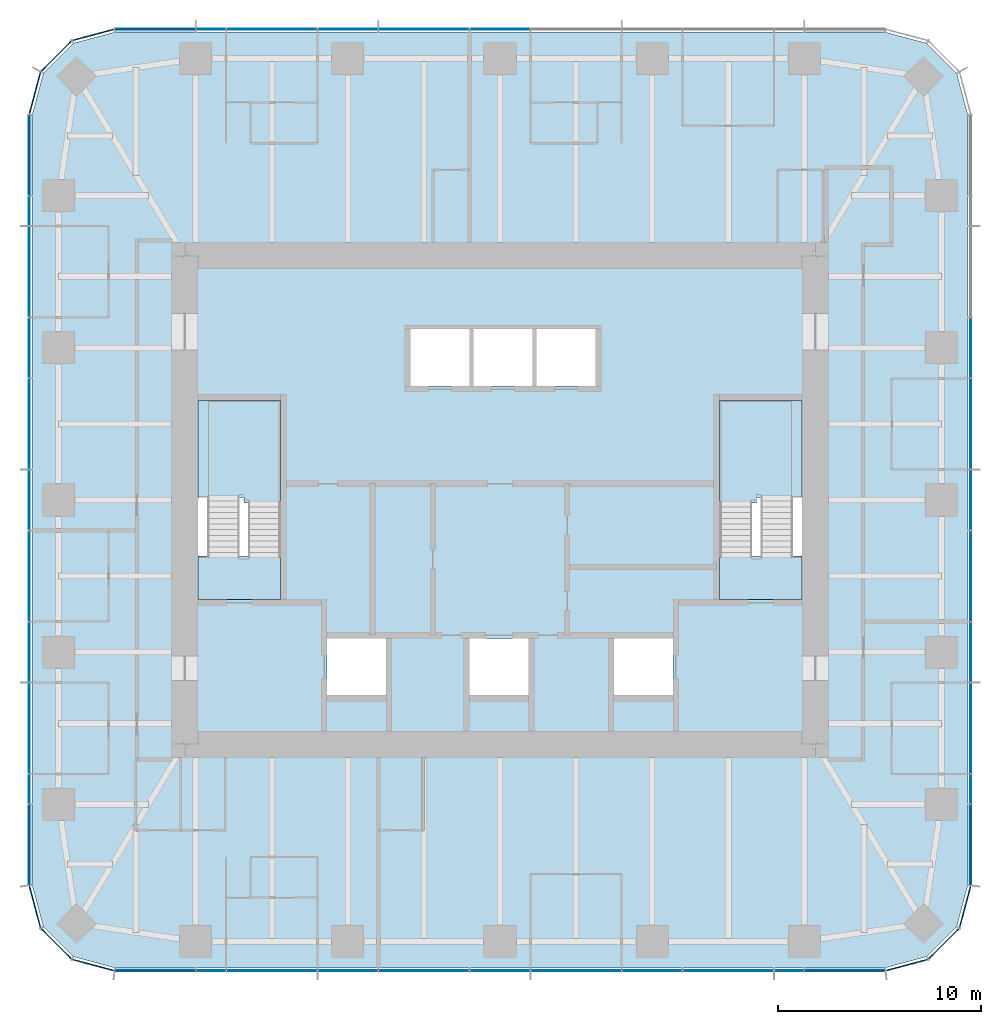
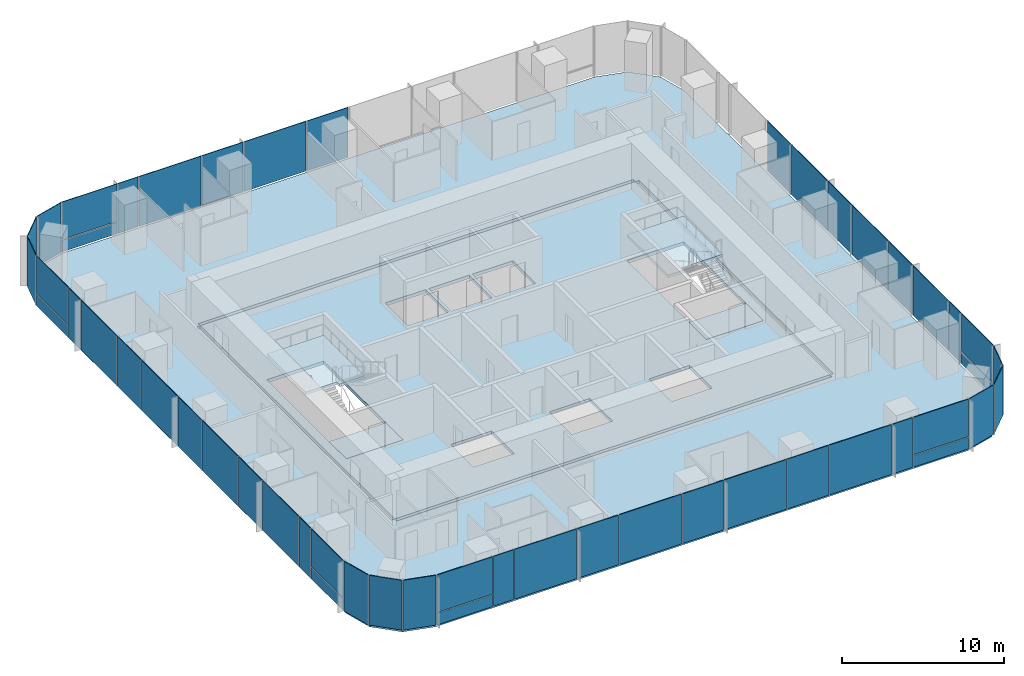
# One storey, part 7 of 12: 51 plates, 6 slabs, 9 elements without a shape of their own.
"""IFC4 building model written with IfcOpenShell, lengths in metres."""

from ifc_helpers import new_model, si_unit, direction, frame, origin, origin_2d, place, context, subcontext, project, spatial, polyline, rectangle, outline, extrude, material, layer, layer_set, type_object, element, aggregate, save


model = new_model("IFC4")

# Units and contexts
model_context = context("Model", 3, precision=1e-05, world=origin(), true_north=direction((0.0, 1.0)))
body_context = subcontext(model_context, "Body", "Model", "MODEL_VIEW")
ifc_project = project(units=[si_unit("LENGTHUNIT", "METRE"), si_unit("AREAUNIT", "SQUARE_METRE"), si_unit("VOLUMEUNIT", "CUBIC_METRE"), si_unit("PLANEANGLEUNIT", "RADIAN"), si_unit("MASSUNIT", "GRAM", prefix="KILO")], contexts=[model_context])

# Site, building, storey
site_placement = place(None, origin())
site = spatial("IfcSite", under=ifc_project, at=site_placement, CompositionType="ELEMENT")
building_placement = place(site_placement, origin())
building = spatial("IfcBuilding", under=site, at=building_placement, Name="Khuree Lantern Residences", CompositionType="ELEMENT")
storey_placement = place(building_placement, frame((0.0, 0.0, 334.5)))
storey = spatial("IfcBuildingStorey", under=building, at=storey_placement, Name="L84", CompositionType="ELEMENT", Elevation=334.5)

# Slab
ifc_material_1 = material(Name="Concrete C35/45", Category="concrete")
ifc_layer_1 = layer(ifc_material_1, 0.25)
ifc_layer_set_1 = layer_set([ifc_layer_1], Name="CFL250 CORE FLOOR SLAB 250")
slab_type_1 = type_object("IfcSlabType", Name="CFL250 CORE FLOOR SLAB 250", PredefinedType="FLOOR", material=ifc_layer_set_1)
slab_1_placement = place(storey_placement, frame((0.0, 0.0, -0.25)))
element("IfcSlab", 1, at=slab_1_placement, inside=storey, type_object=slab_type_1, Name="Core floor L84", PredefinedType="FLOOR", context=body_context, shape_type="SweptSolid", body=[
    extrude(outline(polyline([(-15.5, -12.0), (-15.5, 12.0), (15.5, 12.0), (15.5, -12.0), (-15.5, -12.0)]), holes=[polyline([(10.800048828125, 4.89990234375), (10.800048828125, -4.89990234375), (14.85009765625, -4.89990234375), (14.85009765625, 4.89990234375), (10.800048828125, 4.89990234375)]), polyline([(5.60009765625, -6.800048828125), (5.60009765625, -9.60009765625), (8.5, -9.60009765625), (8.5, -6.800048828125), (5.60009765625, -6.800048828125)]), polyline([(1.800048828125, 8.39990234375), (1.800048828125, 5.60009765625), (4.699951171875, 5.60009765625), (4.699951171875, 8.39990234375), (1.800048828125, 8.39990234375)]), polyline([(-1.300048828125, 8.39990234375), (-1.300048828125, 5.60009765625), (1.60009765625, 5.60009765625), (1.60009765625, 8.39990234375), (-1.300048828125, 8.39990234375)]), polyline([(-1.5, -6.800048828125), (-1.5, -9.60009765625), (1.39990234375, -9.60009765625), (1.39990234375, -6.800048828125), (-1.5, -6.800048828125)]), polyline([(-4.39990234375, 8.39990234375), (-4.39990234375, 5.60009765625), (-1.5, 5.60009765625), (-1.5, 8.39990234375), (-4.39990234375, 8.39990234375)]), polyline([(-8.5, -6.800048828125), (-8.5, -9.60009765625), (-5.60009765625, -9.60009765625), (-5.60009765625, -6.800048828125), (-8.5, -6.800048828125)]), polyline([(-14.85009765625, 4.89990234375), (-14.85009765625, -4.89990234375), (-10.800048828125, -4.89990234375), (-10.800048828125, 4.89990234375), (-14.85009765625, 4.89990234375)])]), origin(), (0.0, 0.0, 1.0), 0.25),
])

# Curtain wall, plates
ifc_material_2 = material(Name="Bronze anodised aluminium", Category="aluminium")
curtain_wall_type_1 = type_object("IfcCurtainWallType", Name="CW-T2 TOWER CORNER CURTAIN WALL", PredefinedType="USERDEFINED", material=ifc_material_2)
curtain_wall_1_placement = place(storey_placement, origin())
curtain_wall_1 = element("IfcCurtainWall", 2, at=curtain_wall_1_placement, inside=storey, type_object=curtain_wall_type_1, Name="L84 SOUTH-EAST CORNER CURTAIN WALL", ObjectType="Faceted corner curtain wall", PredefinedType="USERDEFINED")
ifc_material_3 = material(Name="Bronze tinted triple glazing", Category="glass")
ifc_layer_2 = layer(ifc_material_3, 0.048095703125)
ifc_layer_set_2 = layer_set([ifc_layer_2], Name="FACET PANEL P4")
plate_type_1 = type_object("IfcPlateType", Name="FACET PANEL P4", PredefinedType="CURTAIN_PANEL", material=ifc_layer_set_2)
plate_1_placement = place(storey_placement, frame((19.998046875, -22.869140625, 0.0), z_axis=(0.0, 0.0, 1.0), x_axis=(0.965925861257, 0.2588189146, 0.0)))
plate_1 = element("IfcPlate", 3, at=plate_1_placement, type_object=plate_type_1, Name="L84 SOUTH-EAST CORNER PANEL 1.1", PredefinedType="CURTAIN_PANEL", context=body_context, shape_type="SweptSolid", body=[
    extrude(rectangle(XDim=2.09814453125, YDim=0.048095703125, at=origin_2d()), origin(), (0.0, 0.0, 1.0), 3.75),
])
plate_2_placement = place(storey_placement, frame((21.818603515625, -21.818603515625, 0.0), z_axis=(0.0, 0.0, 1.0), x_axis=(0.707106781187, 0.707106781187, 0.0)))
plate_2 = element("IfcPlate", 4, at=plate_2_placement, type_object=plate_type_1, Name="L84 SOUTH-EAST CORNER PANEL 2.1", PredefinedType="CURTAIN_PANEL", context=body_context, shape_type="SweptSolid", body=[
    extrude(rectangle(XDim=2.093994140625, YDim=0.048095703125, at=origin_2d()), origin(), (0.0, 0.0, 1.0), 3.75),
])
plate_3_placement = place(storey_placement, frame((22.869140625, -19.998046875, 0.0), z_axis=(0.0, 0.0, 1.0), x_axis=(0.2588189146, 0.965925861257, 0.0)))
plate_3 = element("IfcPlate", 5, at=plate_3_placement, type_object=plate_type_1, Name="L84 SOUTH-EAST CORNER PANEL 3.1", PredefinedType="CURTAIN_PANEL", context=body_context, shape_type="SweptSolid", body=[
    extrude(rectangle(XDim=2.09814453125, YDim=0.048095703125, at=origin_2d()), origin(), (0.0, 0.0, 1.0), 3.75),
])
aggregate(curtain_wall_1, [plate_1, plate_2, plate_3])

curtain_wall_2_placement = place(storey_placement, origin())
curtain_wall_2 = element("IfcCurtainWall", 6, at=curtain_wall_2_placement, inside=storey, type_object=curtain_wall_type_1, Name="L84 NORTH-WEST CORNER CURTAIN WALL", ObjectType="Faceted corner curtain wall", PredefinedType="USERDEFINED")
plate_4_placement = place(storey_placement, frame((-19.998046875, 22.869140625, 0.0), z_axis=(0.0, 0.0, 1.0), x_axis=(-0.965925861257, -0.2588189146, 0.0)))
plate_4 = element("IfcPlate", 7, at=plate_4_placement, type_object=plate_type_1, Name="L84 NORTH-WEST CORNER PANEL 29.1", PredefinedType="CURTAIN_PANEL", context=body_context, shape_type="SweptSolid", body=[
    extrude(rectangle(XDim=2.09814453125, YDim=0.048095703125, at=origin_2d()), origin(), (0.0, 0.0, 1.0), 3.75),
])
plate_5_placement = place(storey_placement, frame((-21.818603515625, 21.818603515625, 0.0), z_axis=(0.0, 0.0, 1.0), x_axis=(-0.707106781187, -0.707106781187, 0.0)))
plate_5 = element("IfcPlate", 8, at=plate_5_placement, type_object=plate_type_1, Name="L84 NORTH-WEST CORNER PANEL 30.1", PredefinedType="CURTAIN_PANEL", context=body_context, shape_type="SweptSolid", body=[
    extrude(rectangle(XDim=2.093994140625, YDim=0.048095703125, at=origin_2d()), origin(), (0.0, 0.0, 1.0), 3.75),
])
plate_6_placement = place(storey_placement, frame((-22.869140625, 19.998046875, 0.0), z_axis=(0.0, 0.0, 1.0), x_axis=(-0.2588189146, -0.965925861257, 0.0)))
plate_6 = element("IfcPlate", 9, at=plate_6_placement, type_object=plate_type_1, Name="L84 NORTH-WEST CORNER PANEL 31.1", PredefinedType="CURTAIN_PANEL", context=body_context, shape_type="SweptSolid", body=[
    extrude(rectangle(XDim=2.09814453125, YDim=0.048095703125, at=origin_2d()), origin(), (0.0, 0.0, 1.0), 3.75),
])
aggregate(curtain_wall_2, [plate_4, plate_5, plate_6])

curtain_wall_3_placement = place(storey_placement, origin())
curtain_wall_3 = element("IfcCurtainWall", 10, at=curtain_wall_3_placement, inside=storey, type_object=curtain_wall_type_1, Name="L84 SOUTH-WEST CORNER CURTAIN WALL", ObjectType="Faceted corner curtain wall", PredefinedType="USERDEFINED")
plate_7_placement = place(storey_placement, frame((-22.869140625, -19.998046875, 0.0), z_axis=(0.0, 0.0, 1.0), x_axis=(0.2588189146, -0.965925861257, 0.0)))
plate_7 = element("IfcPlate", 11, at=plate_7_placement, type_object=plate_type_1, Name="L84 SOUTH-WEST CORNER PANEL 43.1", PredefinedType="CURTAIN_PANEL", context=body_context, shape_type="SweptSolid", body=[
    extrude(rectangle(XDim=2.09814453125, YDim=0.048095703125, at=origin_2d()), origin(), (0.0, 0.0, 1.0), 3.75),
])
plate_8_placement = place(storey_placement, frame((-21.818603515625, -21.818603515625, 0.0), z_axis=(0.0, 0.0, 1.0), x_axis=(0.707106781187, -0.707106781187, 0.0)))
plate_8 = element("IfcPlate", 12, at=plate_8_placement, type_object=plate_type_1, Name="L84 SOUTH-WEST CORNER PANEL 44.1", PredefinedType="CURTAIN_PANEL", context=body_context, shape_type="SweptSolid", body=[
    extrude(rectangle(XDim=2.093994140625, YDim=0.048095703125, at=origin_2d()), origin(), (0.0, 0.0, 1.0), 3.75),
])
plate_9_placement = place(storey_placement, frame((-19.998046875, -22.869140625, 0.0), z_axis=(0.0, 0.0, 1.0), x_axis=(0.965925861257, -0.2588189146, 0.0)))
plate_9 = element("IfcPlate", 13, at=plate_9_placement, type_object=plate_type_1, Name="L84 SOUTH-WEST CORNER PANEL 45.1", PredefinedType="CURTAIN_PANEL", context=body_context, shape_type="SweptSolid", body=[
    extrude(rectangle(XDim=2.09814453125, YDim=0.048095703125, at=origin_2d()), origin(), (0.0, 0.0, 1.0), 3.75),
])
aggregate(curtain_wall_3, [plate_7, plate_8, plate_9])

curtain_wall_type_2 = type_object("IfcCurtainWallType", Name="CW-T1 TOWER FACE CURTAIN WALL", PredefinedType="USERDEFINED", material=ifc_material_2)
curtain_wall_4_placement = place(storey_placement, origin())
curtain_wall_4 = element("IfcCurtainWall", 14, at=curtain_wall_4_placement, inside=storey, type_object=curtain_wall_type_2, Name="L84 EAST FACE CURTAIN WALL", ObjectType="Stick-built curtain wall", PredefinedType="USERDEFINED")
ifc_material_4 = material(Name="Bronze tinted triple glazing with a ceramic-fritted spandrel band", Category="glass")
ifc_layer_3 = layer(ifc_material_4, 0.048095703125)
ifc_layer_set_3 = layer_set([ifc_layer_3], Name="FIXED LIGHT PANEL P11")
plate_type_2 = type_object("IfcPlateType", Name="FIXED LIGHT PANEL P11", PredefinedType="CURTAIN_PANEL", material=ifc_layer_set_3)
plate_10_placement = place(storey_placement, frame((23.14990234375, -11.219970703125, 0.0), z_axis=(0.0, 0.0, 1.0), x_axis=(0.0, 1.0, 0.0)))
plate_10 = element("IfcPlate", 15, at=plate_10_placement, type_object=plate_type_2, Name="L84 EAST FACE PANEL 6.1", PredefinedType="CURTAIN_PANEL", context=body_context, shape_type="SweptSolid", body=[
    extrude(rectangle(XDim=4.423095703125, YDim=0.048095703125, at=origin_2d()), origin(), (0.0, 0.0, 1.0), 3.75),
])
plate_11_placement = place(storey_placement, frame((23.14990234375, -3.739990234375, 0.0), z_axis=(0.0, 0.0, 1.0), x_axis=(0.0, 1.0, 0.0)))
plate_11 = element("IfcPlate", 16, at=plate_11_placement, type_object=plate_type_2, Name="L84 EAST FACE PANEL 8.1", PredefinedType="CURTAIN_PANEL", context=body_context, shape_type="SweptSolid", body=[
    extrude(rectangle(XDim=4.423095703125, YDim=0.048095703125, at=origin_2d()), origin(), (0.0, 0.0, 1.0), 3.75),
])
plate_12_placement = place(storey_placement, frame((23.14990234375, 3.739990234375, 0.0), z_axis=(0.0, 0.0, 1.0), x_axis=(0.0, 1.0, 0.0)))
plate_12 = element("IfcPlate", 17, at=plate_12_placement, type_object=plate_type_2, Name="L84 EAST FACE PANEL 10.1", PredefinedType="CURTAIN_PANEL", context=body_context, shape_type="SweptSolid", body=[
    extrude(rectangle(XDim=4.423095703125, YDim=0.048095703125, at=origin_2d()), origin(), (0.0, 0.0, 1.0), 3.75),
])

curtain_wall_5_placement = place(storey_placement, origin())
curtain_wall_5 = element("IfcCurtainWall", 18, at=curtain_wall_5_placement, inside=storey, type_object=curtain_wall_type_2, Name="L84 NORTH FACE CURTAIN WALL", ObjectType="Stick-built curtain wall", PredefinedType="USERDEFINED")
plate_13_placement = place(storey_placement, frame((-3.739990234375, 23.14990234375, 0.0), z_axis=(0.0, 0.0, 1.0), x_axis=(-1.0, 0.0, 0.0)))
plate_13 = element("IfcPlate", 19, at=plate_13_placement, type_object=plate_type_2, Name="L84 NORTH FACE PANEL 24.1", PredefinedType="CURTAIN_PANEL", context=body_context, shape_type="SweptSolid", body=[
    extrude(rectangle(XDim=4.423095703125, YDim=0.048095703125, at=origin_2d()), origin(), (0.0, 0.0, 1.0), 3.75),
])
plate_14_placement = place(storey_placement, frame((-11.219970703125, 23.14990234375, 0.0), z_axis=(0.0, 0.0, 1.0), x_axis=(-1.0, 0.0, 0.0)))
plate_14 = element("IfcPlate", 20, at=plate_14_placement, type_object=plate_type_2, Name="L84 NORTH FACE PANEL 26.1", PredefinedType="CURTAIN_PANEL", context=body_context, shape_type="SweptSolid", body=[
    extrude(rectangle(XDim=4.423095703125, YDim=0.048095703125, at=origin_2d()), origin(), (0.0, 0.0, 1.0), 3.75),
])

curtain_wall_6_placement = place(storey_placement, origin())
curtain_wall_6 = element("IfcCurtainWall", 21, at=curtain_wall_6_placement, inside=storey, type_object=curtain_wall_type_2, Name="L84 WEST FACE CURTAIN WALL", ObjectType="Stick-built curtain wall", PredefinedType="USERDEFINED")
plate_15_placement = place(storey_placement, frame((-23.14990234375, 11.219970703125, 0.0), z_axis=(0.0, 0.0, 1.0), x_axis=(0.0, -1.0, 0.0)))
plate_15 = element("IfcPlate", 22, at=plate_15_placement, type_object=plate_type_2, Name="L84 WEST FACE PANEL 34.1", PredefinedType="CURTAIN_PANEL", context=body_context, shape_type="SweptSolid", body=[
    extrude(rectangle(XDim=4.423095703125, YDim=0.048095703125, at=origin_2d()), origin(), (0.0, 0.0, 1.0), 3.75),
])
plate_16_placement = place(storey_placement, frame((-23.14990234375, 3.739990234375, 0.0), z_axis=(0.0, 0.0, 1.0), x_axis=(0.0, -1.0, 0.0)))
plate_16 = element("IfcPlate", 23, at=plate_16_placement, type_object=plate_type_2, Name="L84 WEST FACE PANEL 36.1", PredefinedType="CURTAIN_PANEL", context=body_context, shape_type="SweptSolid", body=[
    extrude(rectangle(XDim=4.423095703125, YDim=0.048095703125, at=origin_2d()), origin(), (0.0, 0.0, 1.0), 3.75),
])
plate_17_placement = place(storey_placement, frame((-23.14990234375, -3.739990234375, 0.0), z_axis=(0.0, 0.0, 1.0), x_axis=(0.0, -1.0, 0.0)))
plate_17 = element("IfcPlate", 24, at=plate_17_placement, type_object=plate_type_2, Name="L84 WEST FACE PANEL 38.1", PredefinedType="CURTAIN_PANEL", context=body_context, shape_type="SweptSolid", body=[
    extrude(rectangle(XDim=4.423095703125, YDim=0.048095703125, at=origin_2d()), origin(), (0.0, 0.0, 1.0), 3.75),
])
plate_18_placement = place(storey_placement, frame((-23.14990234375, -11.219970703125, 0.0), z_axis=(0.0, 0.0, 1.0), x_axis=(0.0, -1.0, 0.0)))
plate_18 = element("IfcPlate", 25, at=plate_18_placement, type_object=plate_type_2, Name="L84 WEST FACE PANEL 40.1", PredefinedType="CURTAIN_PANEL", context=body_context, shape_type="SweptSolid", body=[
    extrude(rectangle(XDim=4.423095703125, YDim=0.048095703125, at=origin_2d()), origin(), (0.0, 0.0, 1.0), 3.75),
])

curtain_wall_7_placement = place(storey_placement, origin())
curtain_wall_7 = element("IfcCurtainWall", 26, at=curtain_wall_7_placement, inside=storey, type_object=curtain_wall_type_2, Name="L84 SOUTH FACE CURTAIN WALL", ObjectType="Stick-built curtain wall", PredefinedType="USERDEFINED")
plate_19_placement = place(storey_placement, frame((-11.219970703125, -23.14990234375, 0.0), z_axis=(0.0, 0.0, 1.0), x_axis=(1.0, 0.0, 0.0)))
plate_19 = element("IfcPlate", 27, at=plate_19_placement, type_object=plate_type_2, Name="L84 SOUTH FACE PANEL 48.1", PredefinedType="CURTAIN_PANEL", context=body_context, shape_type="SweptSolid", body=[
    extrude(rectangle(XDim=4.423095703125, YDim=0.048095703125, at=origin_2d()), origin(), (0.0, 0.0, 1.0), 3.75),
])
plate_20_placement = place(storey_placement, frame((-3.739990234375, -23.14990234375, 0.0), z_axis=(0.0, 0.0, 1.0), x_axis=(1.0, 0.0, 0.0)))
plate_20 = element("IfcPlate", 28, at=plate_20_placement, type_object=plate_type_2, Name="L84 SOUTH FACE PANEL 50.1", PredefinedType="CURTAIN_PANEL", context=body_context, shape_type="SweptSolid", body=[
    extrude(rectangle(XDim=4.423095703125, YDim=0.048095703125, at=origin_2d()), origin(), (0.0, 0.0, 1.0), 3.75),
])
plate_21_placement = place(storey_placement, frame((3.739990234375, -23.14990234375, 0.0), z_axis=(0.0, 0.0, 1.0), x_axis=(1.0, 0.0, 0.0)))
plate_21 = element("IfcPlate", 29, at=plate_21_placement, type_object=plate_type_2, Name="L84 SOUTH FACE PANEL 52.1", PredefinedType="CURTAIN_PANEL", context=body_context, shape_type="SweptSolid", body=[
    extrude(rectangle(XDim=4.423095703125, YDim=0.048095703125, at=origin_2d()), origin(), (0.0, 0.0, 1.0), 3.75),
])
plate_22_placement = place(storey_placement, frame((11.219970703125, -23.14990234375, 0.0), z_axis=(0.0, 0.0, 1.0), x_axis=(1.0, 0.0, 0.0)))
plate_22 = element("IfcPlate", 30, at=plate_22_placement, type_object=plate_type_2, Name="L84 SOUTH FACE PANEL 54.1", PredefinedType="CURTAIN_PANEL", context=body_context, shape_type="SweptSolid", body=[
    extrude(rectangle(XDim=4.423095703125, YDim=0.048095703125, at=origin_2d()), origin(), (0.0, 0.0, 1.0), 3.75),
])

# Slab
ifc_layer_4 = layer(ifc_material_1, 0.25)
ifc_layer_set_4 = layer_set([ifc_layer_4], Name="FS250 FLOOR SLAB 250")
slab_type_2 = type_object("IfcSlabType", Name="FS250 FLOOR SLAB 250", PredefinedType="FLOOR", material=ifc_layer_set_4)
slab_2_placement = place(storey_placement, frame((0.0, 0.0, -0.25)))
element("IfcSlab", 31, at=slab_2_placement, inside=storey, type_object=slab_type_2, Name="Floor slab L84", PredefinedType="FLOOR", context=body_context, shape_type="SweptSolid", body=[
    extrude(outline(polyline([(-20.97509765625, -22.45751953125), (-22.45751953125, -20.97509765625), (-23.0, -18.949951171875), (-23.0, 18.949951171875), (-22.45751953125, 20.97509765625), (-20.97509765625, 22.45751953125), (-18.949951171875, 23.0), (18.949951171875, 23.0), (20.97509765625, 22.45751953125), (22.45751953125, 20.97509765625), (23.0, 18.949951171875), (23.0, -18.949951171875), (22.45751953125, -20.97509765625), (20.97509765625, -22.45751953125), (18.949951171875, -23.0), (-18.949951171875, -23.0), (-20.97509765625, -22.45751953125)]), holes=[polyline([(15.75, 12.0), (15.5, 12.0), (15.5, 12.25), (-15.5, 12.25), (-15.5, 12.0), (-15.75, 12.0), (-15.75, -12.0), (-15.5, -12.0), (-15.5, -12.25), (15.5, -12.25), (15.5, -12.0), (15.75, -12.0), (15.75, 12.0)])]), origin(), (0.0, 0.0, 1.0), 0.25),
])

# Plate
ifc_material_5 = material(Name="Bronze tinted triple glazing, two aluminium-framed sashes in one frame", Category="aluminium")
ifc_layer_5 = layer(ifc_material_5, 0.048095703125)
ifc_layer_set_5 = layer_set([ifc_layer_5], Name="SASH PAIR PANEL P12")
plate_type_3 = type_object("IfcPlateType", Name="SASH PAIR PANEL P12", PredefinedType="CURTAIN_PANEL", material=ifc_layer_set_5)
plate_23_placement = place(storey_placement, frame((23.14990234375, -7.47998046875, 0.0), z_axis=(0.0, 0.0, 1.0), x_axis=(0.0, 1.0, 0.0)))
plate_23 = element("IfcPlate", 32, at=plate_23_placement, type_object=plate_type_3, Name="L84 EAST FACE PANEL 7.1", PredefinedType="CURTAIN_PANEL", context=body_context, shape_type="SweptSolid", body=[
    extrude(rectangle(XDim=2.927001953125, YDim=0.048095703125, at=origin_2d()), origin(), (0.0, 0.0, 1.0), 3.75),
])

plate_24_placement = place(storey_placement, frame((23.14990234375, 0.0, 0.0), z_axis=(0.0, 0.0, 1.0), x_axis=(0.0, 1.0, 0.0)))
plate_24 = element("IfcPlate", 33, at=plate_24_placement, type_object=plate_type_3, Name="L84 EAST FACE PANEL 9.1", PredefinedType="CURTAIN_PANEL", context=body_context, shape_type="SweptSolid", body=[
    extrude(rectangle(XDim=2.927001953125, YDim=0.048095703125, at=origin_2d()), origin(), (0.0, 0.0, 1.0), 3.75),
])

plate_25_placement = place(storey_placement, frame((23.14990234375, 7.47998046875, 0.0), z_axis=(0.0, 0.0, 1.0), x_axis=(0.0, 1.0, 0.0)))
plate_25 = element("IfcPlate", 34, at=plate_25_placement, type_object=plate_type_3, Name="L84 EAST FACE PANEL 11.1", PredefinedType="CURTAIN_PANEL", context=body_context, shape_type="SweptSolid", body=[
    extrude(rectangle(XDim=2.927001953125, YDim=0.048095703125, at=origin_2d()), origin(), (0.0, 0.0, 1.0), 3.75),
])

plate_26_placement = place(storey_placement, frame((0.0, 23.14990234375, 0.0), z_axis=(0.0, 0.0, 1.0), x_axis=(-1.0, 0.0, 0.0)))
plate_26 = element("IfcPlate", 35, at=plate_26_placement, type_object=plate_type_3, Name="L84 NORTH FACE PANEL 23.1", PredefinedType="CURTAIN_PANEL", context=body_context, shape_type="SweptSolid", body=[
    extrude(rectangle(XDim=2.927001953125, YDim=0.048095703125, at=origin_2d()), origin(), (0.0, 0.0, 1.0), 3.75),
])

plate_27_placement = place(storey_placement, frame((-7.47998046875, 23.14990234375, 0.0), z_axis=(0.0, 0.0, 1.0), x_axis=(-1.0, 0.0, 0.0)))
plate_27 = element("IfcPlate", 36, at=plate_27_placement, type_object=plate_type_3, Name="L84 NORTH FACE PANEL 25.1", PredefinedType="CURTAIN_PANEL", context=body_context, shape_type="SweptSolid", body=[
    extrude(rectangle(XDim=2.927001953125, YDim=0.048095703125, at=origin_2d()), origin(), (0.0, 0.0, 1.0), 3.75),
])

plate_28_placement = place(storey_placement, frame((-23.14990234375, 7.47998046875, 0.0), z_axis=(0.0, 0.0, 1.0), x_axis=(0.0, -1.0, 0.0)))
plate_28 = element("IfcPlate", 37, at=plate_28_placement, type_object=plate_type_3, Name="L84 WEST FACE PANEL 35.1", PredefinedType="CURTAIN_PANEL", context=body_context, shape_type="SweptSolid", body=[
    extrude(rectangle(XDim=2.927001953125, YDim=0.048095703125, at=origin_2d()), origin(), (0.0, 0.0, 1.0), 3.75),
])

plate_29_placement = place(storey_placement, frame((-23.14990234375, 0.0, 0.0), z_axis=(0.0, 0.0, 1.0), x_axis=(0.0, -1.0, 0.0)))
plate_29 = element("IfcPlate", 38, at=plate_29_placement, type_object=plate_type_3, Name="L84 WEST FACE PANEL 37.1", PredefinedType="CURTAIN_PANEL", context=body_context, shape_type="SweptSolid", body=[
    extrude(rectangle(XDim=2.927001953125, YDim=0.048095703125, at=origin_2d()), origin(), (0.0, 0.0, 1.0), 3.75),
])

plate_30_placement = place(storey_placement, frame((-23.14990234375, -7.47998046875, 0.0), z_axis=(0.0, 0.0, 1.0), x_axis=(0.0, -1.0, 0.0)))
plate_30 = element("IfcPlate", 39, at=plate_30_placement, type_object=plate_type_3, Name="L84 WEST FACE PANEL 39.1", PredefinedType="CURTAIN_PANEL", context=body_context, shape_type="SweptSolid", body=[
    extrude(rectangle(XDim=2.927001953125, YDim=0.048095703125, at=origin_2d()), origin(), (0.0, 0.0, 1.0), 3.75),
])

plate_31_placement = place(storey_placement, frame((-7.47998046875, -23.14990234375, 0.0), z_axis=(0.0, 0.0, 1.0), x_axis=(1.0, 0.0, 0.0)))
plate_31 = element("IfcPlate", 40, at=plate_31_placement, type_object=plate_type_3, Name="L84 SOUTH FACE PANEL 49.1", PredefinedType="CURTAIN_PANEL", context=body_context, shape_type="SweptSolid", body=[
    extrude(rectangle(XDim=2.927001953125, YDim=0.048095703125, at=origin_2d()), origin(), (0.0, 0.0, 1.0), 3.75),
])

plate_32_placement = place(storey_placement, frame((0.0, -23.14990234375, 0.0), z_axis=(0.0, 0.0, 1.0), x_axis=(1.0, 0.0, 0.0)))
plate_32 = element("IfcPlate", 41, at=plate_32_placement, type_object=plate_type_3, Name="L84 SOUTH FACE PANEL 51.1", PredefinedType="CURTAIN_PANEL", context=body_context, shape_type="SweptSolid", body=[
    extrude(rectangle(XDim=2.927001953125, YDim=0.048095703125, at=origin_2d()), origin(), (0.0, 0.0, 1.0), 3.75),
])

plate_33_placement = place(storey_placement, frame((7.47998046875, -23.14990234375, 0.0), z_axis=(0.0, 0.0, 1.0), x_axis=(1.0, 0.0, 0.0)))
plate_33 = element("IfcPlate", 42, at=plate_33_placement, type_object=plate_type_3, Name="L84 SOUTH FACE PANEL 53.1", PredefinedType="CURTAIN_PANEL", context=body_context, shape_type="SweptSolid", body=[
    extrude(rectangle(XDim=2.927001953125, YDim=0.048095703125, at=origin_2d()), origin(), (0.0, 0.0, 1.0), 3.75),
])

ifc_material_6 = material(Name="Bronze tinted triple glazing, aluminium-framed sash", Category="aluminium")
ifc_layer_6 = layer(ifc_material_6, 0.048095703125)
ifc_layer_set_6 = layer_set([ifc_layer_6], Name="SASH PANEL P3")
plate_type_4 = type_object("IfcPlateType", Name="SASH PANEL P3", PredefinedType="CURTAIN_PANEL", material=ifc_layer_set_6)
plate_34_placement = place(storey_placement, frame((23.14990234375, -14.2119140625, 0.0), z_axis=(0.0, 0.0, 1.0), x_axis=(0.0, 1.0, 0.0)))
plate_34 = element("IfcPlate", 43, at=plate_34_placement, type_object=plate_type_4, Name="L84 EAST FACE PANEL 5.1", PredefinedType="CURTAIN_PANEL", context=body_context, shape_type="SweptSolid", body=[
    extrude(rectangle(XDim=1.430908203125, YDim=0.048095703125, at=origin_2d()), origin(), (0.0, 0.0, 1.0), 3.75),
])

plate_35_placement = place(storey_placement, frame((-14.2119140625, 23.14990234375, 0.0), z_axis=(0.0, 0.0, 1.0), x_axis=(-1.0, 0.0, 0.0)))
plate_35 = element("IfcPlate", 44, at=plate_35_placement, type_object=plate_type_4, Name="L84 NORTH FACE PANEL 27.1", PredefinedType="CURTAIN_PANEL", context=body_context, shape_type="SweptSolid", body=[
    extrude(rectangle(XDim=1.430908203125, YDim=0.048095703125, at=origin_2d()), origin(), (0.0, 0.0, 1.0), 3.75),
])

plate_36_placement = place(storey_placement, frame((-23.14990234375, 14.2119140625, 0.0), z_axis=(0.0, 0.0, 1.0), x_axis=(0.0, -1.0, 0.0)))
plate_36 = element("IfcPlate", 45, at=plate_36_placement, type_object=plate_type_4, Name="L84 WEST FACE PANEL 33.1", PredefinedType="CURTAIN_PANEL", context=body_context, shape_type="SweptSolid", body=[
    extrude(rectangle(XDim=1.430908203125, YDim=0.048095703125, at=origin_2d()), origin(), (0.0, 0.0, 1.0), 3.75),
])

plate_37_placement = place(storey_placement, frame((-23.14990234375, -14.2119140625, 0.0), z_axis=(0.0, 0.0, 1.0), x_axis=(0.0, -1.0, 0.0)))
plate_37 = element("IfcPlate", 46, at=plate_37_placement, type_object=plate_type_4, Name="L84 WEST FACE PANEL 41.1", PredefinedType="CURTAIN_PANEL", context=body_context, shape_type="SweptSolid", body=[
    extrude(rectangle(XDim=1.430908203125, YDim=0.048095703125, at=origin_2d()), origin(), (0.0, 0.0, 1.0), 3.75),
])

plate_38_placement = place(storey_placement, frame((-14.2119140625, -23.14990234375, 0.0), z_axis=(0.0, 0.0, 1.0), x_axis=(1.0, 0.0, 0.0)))
plate_38 = element("IfcPlate", 47, at=plate_38_placement, type_object=plate_type_4, Name="L84 SOUTH FACE PANEL 47.1", PredefinedType="CURTAIN_PANEL", context=body_context, shape_type="SweptSolid", body=[
    extrude(rectangle(XDim=1.430908203125, YDim=0.048095703125, at=origin_2d()), origin(), (0.0, 0.0, 1.0), 3.75),
])

plate_39_placement = place(storey_placement, frame((14.2119140625, -23.14990234375, 0.0), z_axis=(0.0, 0.0, 1.0), x_axis=(1.0, 0.0, 0.0)))
plate_39 = element("IfcPlate", 48, at=plate_39_placement, type_object=plate_type_4, Name="L84 SOUTH FACE PANEL 55.1", PredefinedType="CURTAIN_PANEL", context=body_context, shape_type="SweptSolid", body=[
    extrude(rectangle(XDim=1.430908203125, YDim=0.048095703125, at=origin_2d()), origin(), (0.0, 0.0, 1.0), 3.75),
])

ifc_material_7 = material(Name="Bronze anodised aluminium insulated spandrel", Category="aluminium")
ifc_layer_7 = layer(ifc_material_7, 0.06005859375)
ifc_layer_set_7 = layer_set([ifc_layer_7], Name="SPANDREL PANEL P2")
plate_type_5 = type_object("IfcPlateType", Name="SPANDREL PANEL P2", PredefinedType="CURTAIN_PANEL", material=ifc_layer_set_7)
plate_40_placement = place(storey_placement, frame((23.14990234375, -16.952880859375, 0.0), z_axis=(0.0, 0.0, 1.0), x_axis=(0.0, 1.0, 0.0)))
plate_40 = element("IfcPlate", 49, at=plate_40_placement, type_object=plate_type_5, Name="L84 EAST FACE PANEL 4.1", PredefinedType="CURTAIN_PANEL", context=body_context, shape_type="SweptSolid", body=[
    extrude(rectangle(XDim=3.920654296875, YDim=0.06005859375, at=origin_2d()), origin(), (0.0, 0.0, 1.0), 0.867431640625),
])

plate_41_placement = place(storey_placement, frame((-16.952880859375, 23.14990234375, 0.0), z_axis=(0.0, 0.0, 1.0), x_axis=(-1.0, 0.0, 0.0)))
plate_41 = element("IfcPlate", 50, at=plate_41_placement, type_object=plate_type_5, Name="L84 NORTH FACE PANEL 28.1", PredefinedType="CURTAIN_PANEL", context=body_context, shape_type="SweptSolid", body=[
    extrude(rectangle(XDim=3.920654296875, YDim=0.06005859375, at=origin_2d()), origin(), (0.0, 0.0, 1.0), 0.867431640625),
])

plate_42_placement = place(storey_placement, frame((-23.14990234375, 16.952880859375, 0.0), z_axis=(0.0, 0.0, 1.0), x_axis=(0.0, -1.0, 0.0)))
plate_42 = element("IfcPlate", 51, at=plate_42_placement, type_object=plate_type_5, Name="L84 WEST FACE PANEL 32.1", PredefinedType="CURTAIN_PANEL", context=body_context, shape_type="SweptSolid", body=[
    extrude(rectangle(XDim=3.920654296875, YDim=0.06005859375, at=origin_2d()), origin(), (0.0, 0.0, 1.0), 0.867431640625),
])

plate_43_placement = place(storey_placement, frame((-23.14990234375, -16.952880859375, 0.0), z_axis=(0.0, 0.0, 1.0), x_axis=(0.0, -1.0, 0.0)))
plate_43 = element("IfcPlate", 52, at=plate_43_placement, type_object=plate_type_5, Name="L84 WEST FACE PANEL 42.1", PredefinedType="CURTAIN_PANEL", context=body_context, shape_type="SweptSolid", body=[
    extrude(rectangle(XDim=3.920654296875, YDim=0.06005859375, at=origin_2d()), origin(), (0.0, 0.0, 1.0), 0.867431640625),
])

plate_44_placement = place(storey_placement, frame((-16.952880859375, -23.14990234375, 0.0), z_axis=(0.0, 0.0, 1.0), x_axis=(1.0, 0.0, 0.0)))
plate_44 = element("IfcPlate", 53, at=plate_44_placement, type_object=plate_type_5, Name="L84 SOUTH FACE PANEL 46.1", PredefinedType="CURTAIN_PANEL", context=body_context, shape_type="SweptSolid", body=[
    extrude(rectangle(XDim=3.920654296875, YDim=0.06005859375, at=origin_2d()), origin(), (0.0, 0.0, 1.0), 0.867431640625),
])

plate_45_placement = place(storey_placement, frame((16.952880859375, -23.14990234375, 0.0), z_axis=(0.0, 0.0, 1.0), x_axis=(1.0, 0.0, 0.0)))
plate_45 = element("IfcPlate", 54, at=plate_45_placement, type_object=plate_type_5, Name="L84 SOUTH FACE PANEL 56.1", PredefinedType="CURTAIN_PANEL", context=body_context, shape_type="SweptSolid", body=[
    extrude(rectangle(XDim=3.920654296875, YDim=0.06005859375, at=origin_2d()), origin(), (0.0, 0.0, 1.0), 0.867431640625),
])

# Stair, slabs
ifc_material_8 = material(Name="Concrete C40/50", Category="concrete")
stair_type = type_object("IfcStairType", Name="STAIR ST1 HALF TURN 3600", PredefinedType="HALF_TURN_STAIR", material=ifc_material_8)
stair_1_placement = place(storey_placement, origin())
stair_1 = element("IfcStair", 55, at=stair_1_placement, inside=storey, type_object=stair_type, Name="Stair ST1", PredefinedType="HALF_TURN_STAIR")
ifc_layer_8 = layer(ifc_material_8, 0.199951171875)
ifc_layer_set_8 = layer_set([ifc_layer_8], Name="STAIR LANDING SL1 200")
slab_type_3 = type_object("IfcSlabType", Name="STAIR LANDING SL1 200", PredefinedType="LANDING", material=ifc_layer_set_8)
slab_3_placement = place(storey_placement, frame((0.0, 0.0, -0.199951171875)))
slab_3 = element("IfcSlab", 56, at=slab_3_placement, type_object=slab_type_3, Name="ST1 landing 1", PredefinedType="LANDING", context=body_context, shape_type="SweptSolid", body=[
    extrude(outline(polyline([(-14.85009765625, -4.89990234375), (-10.800048828125, -4.89990234375), (-10.800048828125, -2.760009765625), (-14.85009765625, -2.760009765625), (-14.85009765625, -4.89990234375)])), origin(), (0.0, 0.0, 1.0), 0.199951171875),
])
slab_4_placement = place(storey_placement, frame((0.0, 0.0, 1.756591796875)))
slab_4 = element("IfcSlab", 57, at=slab_4_placement, type_object=slab_type_3, Name="ST1 landing 2", PredefinedType="LANDING", context=body_context, shape_type="SweptSolid", body=[
    extrude(outline(polyline([(-14.85009765625, 0.1201171875), (-14.85009765625, 4.89990234375), (-10.800048828125, 4.89990234375), (-10.800048828125, -0.159912109375), (-12.60009765625, -0.159912109375), (-12.60009765625, 0.1201171875), (-14.85009765625, 0.1201171875)])), origin(), (0.0, 0.0, 1.0), 0.199951171875),
])
aggregate(stair_1, [slab_3, slab_4])

stair_2_placement = place(storey_placement, origin())
stair_2 = element("IfcStair", 58, at=stair_2_placement, inside=storey, type_object=stair_type, Name="Stair ST2", PredefinedType="HALF_TURN_STAIR")
slab_5_placement = place(storey_placement, frame((0.0, 0.0, -0.199951171875)))
slab_5 = element("IfcSlab", 59, at=slab_5_placement, type_object=slab_type_3, Name="ST2 landing 1", PredefinedType="LANDING", context=body_context, shape_type="SweptSolid", body=[
    extrude(outline(polyline([(10.800048828125, -4.89990234375), (14.85009765625, -4.89990234375), (14.85009765625, -2.760009765625), (10.800048828125, -2.760009765625), (10.800048828125, -4.89990234375)])), origin(), (0.0, 0.0, 1.0), 0.199951171875),
])
slab_6_placement = place(storey_placement, frame((0.0, 0.0, 1.756591796875)))
slab_6 = element("IfcSlab", 60, at=slab_6_placement, type_object=slab_type_3, Name="ST2 landing 2", PredefinedType="LANDING", context=body_context, shape_type="SweptSolid", body=[
    extrude(outline(polyline([(14.85009765625, 4.89990234375), (14.85009765625, 0.1201171875), (12.60009765625, 0.1201171875), (12.60009765625, -0.159912109375), (10.800048828125, -0.159912109375), (10.800048828125, 4.89990234375), (14.85009765625, 4.89990234375)])), origin(), (0.0, 0.0, 1.0), 0.199951171875),
])
aggregate(stair_2, [slab_5, slab_6])

# Plate
ifc_layer_9 = layer(ifc_material_3, 0.048095703125)
ifc_layer_set_9 = layer_set([ifc_layer_9], Name="VISION PANEL P1")
plate_type_6 = type_object("IfcPlateType", Name="VISION PANEL P1", PredefinedType="CURTAIN_PANEL", material=ifc_layer_set_9)
plate_46_placement = place(storey_placement, frame((23.14990234375, -16.953369140625, 0.9326171875), z_axis=(0.0, 0.0, 1.0), x_axis=(0.0, 1.0, 0.0)))
plate_46 = element("IfcPlate", 61, at=plate_46_placement, type_object=plate_type_6, Name="L84 EAST FACE PANEL 4.2", PredefinedType="CURTAIN_PANEL", context=body_context, shape_type="SweptSolid", body=[
    extrude(rectangle(XDim=3.921630859375, YDim=0.048095703125, at=origin_2d()), origin(), (0.0, 0.0, 1.0), 2.8173828125),
])

aggregate(curtain_wall_4, [plate_40, plate_46, plate_34, plate_10, plate_23, plate_11, plate_24, plate_12, plate_25])

plate_47_placement = place(storey_placement, frame((-16.953369140625, 23.14990234375, 0.9326171875), z_axis=(0.0, 0.0, 1.0), x_axis=(-1.0, 0.0, 0.0)))
plate_47 = element("IfcPlate", 62, at=plate_47_placement, type_object=plate_type_6, Name="L84 NORTH FACE PANEL 28.2", PredefinedType="CURTAIN_PANEL", context=body_context, shape_type="SweptSolid", body=[
    extrude(rectangle(XDim=3.921630859375, YDim=0.048095703125, at=origin_2d()), origin(), (0.0, 0.0, 1.0), 2.8173828125),
])

aggregate(curtain_wall_5, [plate_26, plate_13, plate_27, plate_14, plate_35, plate_41, plate_47])

plate_48_placement = place(storey_placement, frame((-23.14990234375, 16.953369140625, 0.9326171875), z_axis=(0.0, 0.0, 1.0), x_axis=(0.0, -1.0, 0.0)))
plate_48 = element("IfcPlate", 63, at=plate_48_placement, type_object=plate_type_6, Name="L84 WEST FACE PANEL 32.2", PredefinedType="CURTAIN_PANEL", context=body_context, shape_type="SweptSolid", body=[
    extrude(rectangle(XDim=3.921630859375, YDim=0.048095703125, at=origin_2d()), origin(), (0.0, 0.0, 1.0), 2.8173828125),
])

plate_49_placement = place(storey_placement, frame((-23.14990234375, -16.953369140625, 0.9326171875), z_axis=(0.0, 0.0, 1.0), x_axis=(0.0, -1.0, 0.0)))
plate_49 = element("IfcPlate", 64, at=plate_49_placement, type_object=plate_type_6, Name="L84 WEST FACE PANEL 42.2", PredefinedType="CURTAIN_PANEL", context=body_context, shape_type="SweptSolid", body=[
    extrude(rectangle(XDim=3.921630859375, YDim=0.048095703125, at=origin_2d()), origin(), (0.0, 0.0, 1.0), 2.8173828125),
])

aggregate(curtain_wall_6, [plate_42, plate_48, plate_36, plate_15, plate_28, plate_16, plate_29, plate_17, plate_30, plate_18, plate_37, plate_43, plate_49])

plate_50_placement = place(storey_placement, frame((-16.953369140625, -23.14990234375, 0.9326171875), z_axis=(0.0, 0.0, 1.0), x_axis=(1.0, 0.0, 0.0)))
plate_50 = element("IfcPlate", 65, at=plate_50_placement, type_object=plate_type_6, Name="L84 SOUTH FACE PANEL 46.2", PredefinedType="CURTAIN_PANEL", context=body_context, shape_type="SweptSolid", body=[
    extrude(rectangle(XDim=3.921630859375, YDim=0.048095703125, at=origin_2d()), origin(), (0.0, 0.0, 1.0), 2.8173828125),
])

plate_51_placement = place(storey_placement, frame((16.953369140625, -23.14990234375, 0.9326171875), z_axis=(0.0, 0.0, 1.0), x_axis=(1.0, 0.0, 0.0)))
plate_51 = element("IfcPlate", 66, at=plate_51_placement, type_object=plate_type_6, Name="L84 SOUTH FACE PANEL 56.2", PredefinedType="CURTAIN_PANEL", context=body_context, shape_type="SweptSolid", body=[
    extrude(rectangle(XDim=3.921630859375, YDim=0.048095703125, at=origin_2d()), origin(), (0.0, 0.0, 1.0), 2.8173828125),
])

aggregate(curtain_wall_7, [plate_44, plate_50, plate_38, plate_19, plate_31, plate_20, plate_32, plate_21, plate_33, plate_22, plate_39, plate_45, plate_51])

save(model, "model.ifc")
